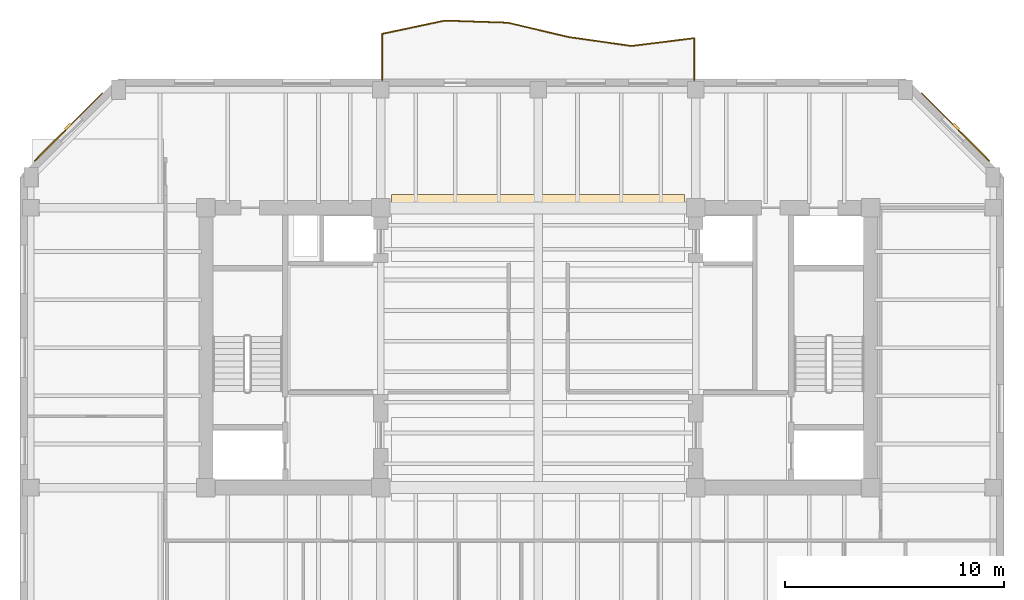
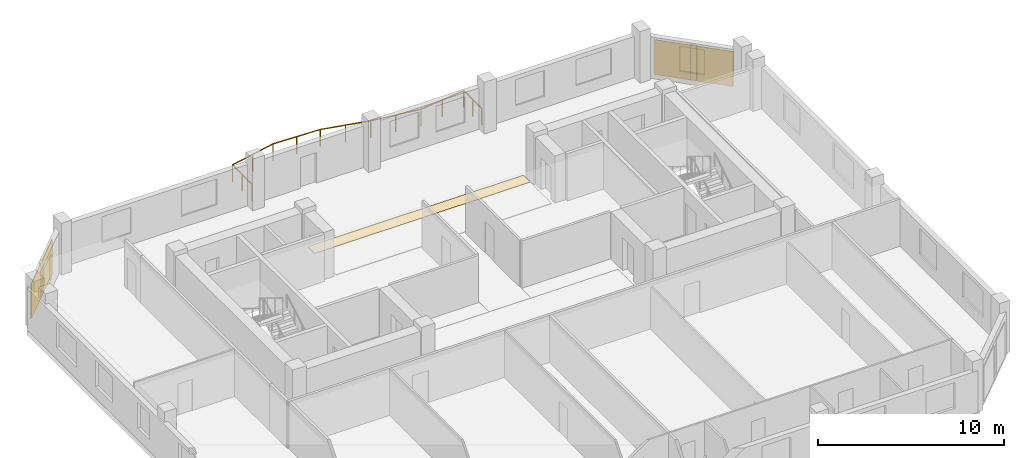
# One storey, part 9 of 10: 3 coverings, 2 shading devices, 1 railing.
"""IFC4 building model written with IfcOpenShell, lengths in metres."""

from ifc_helpers import new_model, si_unit, direction, frame, origin, origin_2d, place, context, subcontext, project, spatial, polyline, rectangle, circle, outline, extrude, material, layer, layer_set, type_object, element, save


model = new_model("IFC4")

# Units and contexts
model_context = context("Model", 3, precision=1e-05, world=origin(), true_north=direction((0.0, 1.0)))
body_context = subcontext(model_context, "Body", "Model", "MODEL_VIEW")
ifc_project = project(units=[si_unit("LENGTHUNIT", "METRE"), si_unit("AREAUNIT", "SQUARE_METRE"), si_unit("VOLUMEUNIT", "CUBIC_METRE"), si_unit("PLANEANGLEUNIT", "RADIAN"), si_unit("MASSUNIT", "GRAM", prefix="KILO")], contexts=[model_context])

# Site, building, storey
site_placement = place(None, origin())
site = spatial("IfcSite", under=ifc_project, at=site_placement, CompositionType="ELEMENT")
building_placement = place(site_placement, origin())
building = spatial("IfcBuilding", under=site, at=building_placement, Name="Kranthara Brick Stack", CompositionType="ELEMENT")
storey_placement = place(building_placement, frame((0.0, 0.0, 214.300048828125)))
storey = spatial("IfcBuildingStorey", under=building, at=storey_placement, Name="L55", CompositionType="ELEMENT", Elevation=214.300048828125)

# Coverings
ifc_material_1 = material(Name="Warm buff kiln-fired brick slip rainscreen", Category="masonry")
ifc_layer_1 = layer(ifc_material_1, 0.044921875)
ifc_layer_set_1 = layer_set([ifc_layer_1], Name="Warm buff kiln-fired brick slip rainscreen")
covering_type_1 = type_object("IfcCoveringType", Name="COV-CLAD-BRICK", PredefinedType="CLADDING", material=ifc_layer_set_1)
for number, where, z_axis, x_axis, name in (
    (1, (6.5126953125, 37.287353515625, 0.0498046875), (0.0, 0.0, 1.0), (0.707106781187, 0.707106781187, 0.0), "L55 Chamfer Brick Rainscreen Cladding NW"),
    (2, (47.08740234375, 37.287353515625, 0.0498046875), (0.0, 0.0, 1.0), (0.707106781187, -0.707106781187, 0.0), "L55 Chamfer Brick Rainscreen Cladding NE"),
):
    element("IfcCovering", number, at=place(storey_placement, frame(where, z_axis=z_axis, x_axis=x_axis)), inside=storey, type_object=covering_type_1, Name=name, PredefinedType="CLADDING", context=body_context, shape_type="SweptSolid", body=[
        extrude(rectangle(XDim=4.39892578125, YDim=0.044921875, at=origin_2d()), origin(), (0.0, 0.0, 1.0), 2.300048828125),
    ])
ifc_material_2 = material(Name="Honed terrazzo and porcelain floor finish", Category="stone")
ifc_layer_2 = layer(ifc_material_2, 0.030029296875)
ifc_layer_set_2 = layer_set([ifc_layer_2], Name="Honed terrazzo and porcelain floor finish")
covering_type_2 = type_object("IfcCoveringType", Name="COV-FLOR-STONE", PredefinedType="FLOORING", material=ifc_layer_set_2)
covering_placement = place(storey_placement, origin())
element("IfcCovering", 3, at=covering_placement, inside=storey, type_object=covering_type_2, Name="L55 Lift Lobby Stone Flooring", PredefinedType="FLOORING", context=body_context, shape_type="SweptSolid", body=[
    extrude(outline(polyline([(34.699951171875, 33.449951171875), (21.300048828125, 33.449951171875), (21.300048828125, 34.199951171875), (34.699951171875, 34.199951171875), (34.699951171875, 33.449951171875)])), origin(), (0.0, 0.0, 1.0), 0.030029296875),
])

# Railing
ifc_material_3 = material(Name="Bronze anodised aluminium and laminated glass balustrade", Category="aluminium")
railing_type = type_object("IfcRailingType", Name="RL-BALC-1120", PredefinedType="BALUSTRADE", material=ifc_material_3)
railing_placement = place(storey_placement, frame((20.860107421875, 39.43994140625, 0.0)))
element("IfcRailing", 4, at=railing_placement, inside=storey, type_object=railing_type, Name="L55 North Rippling Balcony Balustrade", PredefinedType="BALUSTRADE", context=body_context, shape_type="SweptSolid", body=[
    extrude(circle(Radius=0.02392578125, at=origin_2d()), frame((0.0, 0.0, 1.09619140625), z_axis=(-0.000115393491, 0.999999993342, 0.0), x_axis=(-0.999999993342, -0.000115393491, 0.0)), (0.0, 0.0, 1.0), 2.11572265625),
    extrude(circle(Radius=0.02392578125, at=origin_2d()), frame((-0.000244140625, 2.11572265625, 1.09619140625), z_axis=(0.978447514968, 0.206495666913, 0.0), x_axis=(-0.206495666913, 0.978447514968, 0.0)), (0.0, 0.0, 1.0), 2.941650390625),
    extrude(circle(Radius=0.02392578125, at=origin_2d()), frame((2.8779296875, 2.72314453125, 1.09619140625), z_axis=(0.999430571546, -0.033742149579, 0.0), x_axis=(0.033742149579, 0.999430571546, 0.0)), (0.0, 0.0, 1.0), 2.87255859375),
    extrude(circle(Radius=0.02392578125, at=origin_2d()), frame((5.748779296875, 2.626220703125, 1.09619140625), z_axis=(0.973230284689, -0.229832140841, 0.0), x_axis=(0.229832140841, 0.973230284689, 0.0)), (0.0, 0.0, 1.0), 2.848876953125),
    extrude(circle(Radius=0.02392578125, at=origin_2d()), frame((8.521484375, 1.971435546875, 1.09619140625), z_axis=(0.990034963978, -0.140821767141, 0.0), x_axis=(0.140821767141, 0.990034963978, 0.0)), (0.0, 0.0, 1.0), 2.907470703125),
    extrude(circle(Radius=0.02392578125, at=origin_2d()), frame((11.39990234375, 1.56201171875, 1.09619140625), z_axis=(0.992406768438, 0.122999211212, 0.0), x_axis=(-0.122999211212, 0.992406768438, 0.0)), (0.0, 0.0, 1.0), 2.90185546875),
    extrude(circle(Radius=0.02392578125, at=origin_2d()), frame((14.27978515625, 1.9189453125, 1.09619140625), z_axis=(0.0, -1.0, 0.0), x_axis=(1.0, 0.0, 0.0)), (0.0, 0.0, 1.0), 1.9189453125),
    extrude(circle(Radius=0.02099609375, at=origin_2d()), origin(), (0.0, 0.0, 1.0), 1.072021484375),
    extrude(circle(Radius=0.02099609375, at=origin_2d()), frame((0.0, 1.057861328125, 0.0)), (0.0, 0.0, 1.0), 1.072021484375),
    extrude(circle(Radius=0.02099609375, at=origin_2d()), frame((-0.000244140625, 2.11572265625, 0.0)), (0.0, 0.0, 1.0), 1.072021484375),
    extrude(circle(Radius=0.02099609375, at=origin_2d()), frame((1.43896484375, 2.41943359375, 0.0)), (0.0, 0.0, 1.0), 1.072021484375),
    extrude(circle(Radius=0.02099609375, at=origin_2d()), frame((2.8779296875, 2.72314453125, 0.0)), (0.0, 0.0, 1.0), 1.072021484375),
    extrude(circle(Radius=0.02099609375, at=origin_2d()), frame((4.3134765625, 2.6748046875, 0.0)), (0.0, 0.0, 1.0), 1.072021484375),
    extrude(circle(Radius=0.02099609375, at=origin_2d()), frame((5.748779296875, 2.626220703125, 0.0)), (0.0, 0.0, 1.0), 1.072021484375),
    extrude(circle(Radius=0.02099609375, at=origin_2d()), frame((7.13525390625, 2.298828125, 0.0)), (0.0, 0.0, 1.0), 1.072021484375),
    extrude(circle(Radius=0.02099609375, at=origin_2d()), frame((8.521484375, 1.971435546875, 0.0)), (0.0, 0.0, 1.0), 1.072021484375),
    extrude(circle(Radius=0.02099609375, at=origin_2d()), frame((9.960693359375, 1.7666015625, 0.0)), (0.0, 0.0, 1.0), 1.072021484375),
    extrude(circle(Radius=0.02099609375, at=origin_2d()), frame((11.39990234375, 1.56201171875, 0.0)), (0.0, 0.0, 1.0), 1.072021484375),
    extrude(circle(Radius=0.02099609375, at=origin_2d()), frame((12.83984375, 1.740478515625, 0.0)), (0.0, 0.0, 1.0), 1.072021484375),
    extrude(circle(Radius=0.02099609375, at=origin_2d()), frame((14.27978515625, 1.9189453125, 0.0)), (0.0, 0.0, 1.0), 1.072021484375),
    extrude(circle(Radius=0.02099609375, at=origin_2d()), frame((14.27978515625, 0.95947265625, 0.0)), (0.0, 0.0, 1.0), 1.072021484375),
    extrude(circle(Radius=0.02099609375, at=origin_2d()), frame((14.27978515625, 0.0, 0.0)), (0.0, 0.0, 1.0), 1.072021484375),
])

# Shading devices
ifc_material_4 = material(Name="Kiln-fired terracotta aerodynamic wind fin", Category="masonry")
shading_device_type = type_object("IfcShadingDeviceType", Name="SHD-BAFFLE-CORNER", PredefinedType="SHUTTER", material=ifc_material_4)
for number, where, z_axis, x_axis, name in (
    (5, (6.491455078125, 37.30859375, 0.0498046875), (0.0, 0.0, 1.0), (0.707106781187, 0.707106781187, 0.0), "L55 Chamfer Wind-Baffle Fin NW"),
    (6, (47.1083984375, 37.30859375, 0.0498046875), (0.0, 0.0, 1.0), (0.707106781187, -0.707106781187, 0.0), "L55 Chamfer Wind-Baffle Fin NE"),
):
    element("IfcShadingDevice", number, at=place(storey_placement, frame(where, z_axis=z_axis, x_axis=x_axis)), inside=storey, type_object=shading_device_type, Name=name, PredefinedType="SHUTTER", context=body_context, shape_type="SweptSolid", body=[
        extrude(rectangle(XDim=0.35009765625, YDim=0.1201171875, at=origin_2d()), origin(), (0.0, 0.0, 1.0), 2.300048828125),
    ])

save(model, "model.ifc")
